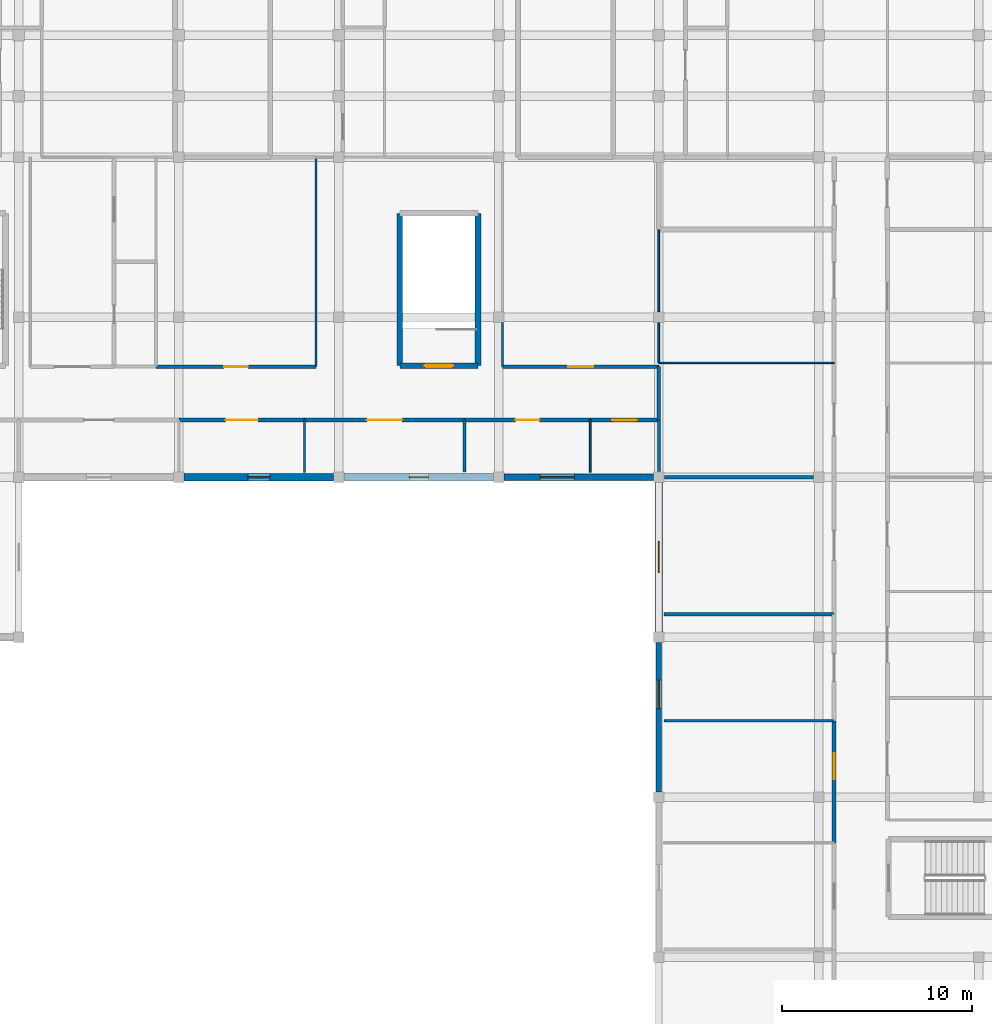
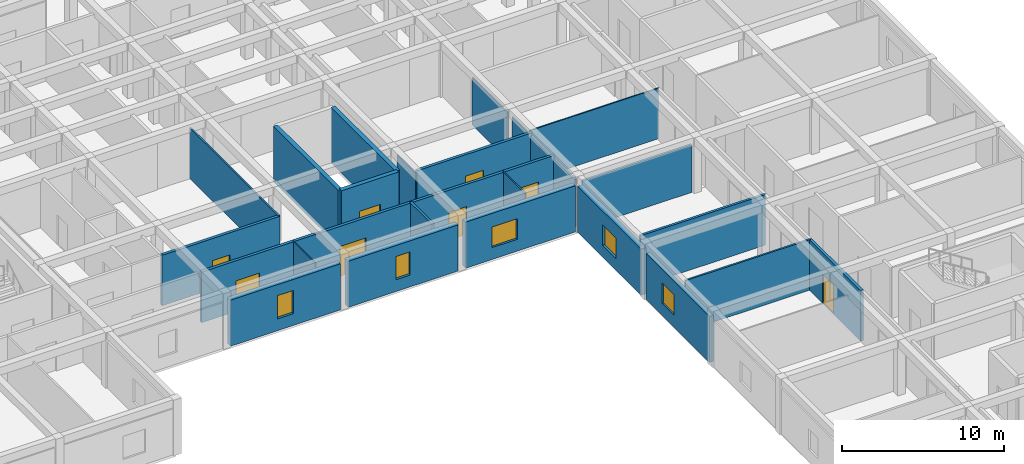
# One storey, part 26 of 42: 28 walls, 8 doors, 5 windows, 13 openings.
"""IFC4 building model written with IfcOpenShell, lengths in metres."""

from ifc_helpers import new_model, si_unit, direction, frame, frame_2d, origin, place, context, subcontext, project, spatial, rectangle, extrude, material, layer, layer_set, type_object, element, fill, save


model = new_model("IFC4")

# Units and contexts
model_context = context("Model", 3, precision=1e-05, world=origin(), true_north=direction((0.0, 1.0)))
body_context = subcontext(model_context, "Body", "Model", "MODEL_VIEW")
ifc_project = project(units=[si_unit("LENGTHUNIT", "METRE"), si_unit("AREAUNIT", "SQUARE_METRE"), si_unit("VOLUMEUNIT", "CUBIC_METRE"), si_unit("PLANEANGLEUNIT", "RADIAN"), si_unit("MASSUNIT", "GRAM", prefix="KILO")], contexts=[model_context])

# Site, building, storey
site_placement = place(None, origin())
site = spatial("IfcSite", under=ifc_project, at=site_placement, CompositionType="ELEMENT")
building_placement = place(site_placement, origin())
building = spatial("IfcBuilding", under=site, at=building_placement, Name="Varncliffe General Hospital", CompositionType="ELEMENT")
storey_placement = place(building_placement, frame((0.0, 0.0, 20.39990234375)))
storey = spatial("IfcBuildingStorey", under=building, at=storey_placement, Name="L04", CompositionType="ELEMENT", Elevation=20.39990234375)

# Wall, opening, window
ifc_material_1 = material(Name="Precast concrete C40/50 with insulated cream lime-cement stucco", Category="concrete")
ifc_layer_1 = layer(ifc_material_1, 0.3798828125)
ifc_layer_set_1 = layer_set([ifc_layer_1], Name="Precast concrete C40/50 with insulated cream lime-cement stucco")
wall_type_1 = type_object("IfcWallType", Name="Exterior Insulated Stucco Wall EW26 (380mm)", PredefinedType="SOLIDWALL", material=ifc_layer_set_1)
wall_1_placement = place(storey_placement, frame((151.199951171875, 74.673095703125, 0.0), z_axis=(0.0, 0.0, 1.0), x_axis=(0.0, 1.0, 0.0)))
wall_1 = element("IfcWall", 1, at=wall_1_placement, inside=storey, type_object=wall_type_1, Name="L04 Exterior Stucco Wall EW26-315", PredefinedType="SOLIDWALL", context=body_context, shape_type="SweptSolid", body=[
    extrude(rectangle(XDim=7.85400390625, YDim=0.3798828125, at=frame_2d((3.927001953125, 0.0))), origin(), (0.0, 0.0, 1.0), 3.47998046875),
])
opening_1_placement = place(wall_1_placement, frame((3.10205078125, 0.0, 0.89990234375)))
opening_1 = element("IfcOpeningElement", 2, at=opening_1_placement, cuts=wall_1, Name="Opening WN20", PredefinedType="OPENING", context=body_context, shape_type="SweptSolid", body=[
    extrude(rectangle(XDim=1.64990234375, YDim=1.550048828125, at=frame_2d((0.824951171875, 0.77490234375))), frame((0.0, 0.199951171875, 0.0), z_axis=(0.0, -1.0, 0.0), x_axis=(1.0, 0.0, 0.0)), (0.0, 0.0, 1.0), 0.39990234375),
])
ifc_material_2 = material(Name="Triple low-E argon insulated vision glazing", Category="glass")
window_type_1 = type_object("IfcWindowType", Name="Triple-Glazed Hospital Window WN20 (1650x1550)", PartitioningType="DOUBLE_PANEL_VERTICAL", PredefinedType="WINDOW", material=ifc_material_2)
window_1_placement = place(opening_1_placement, origin())
window_1 = element("IfcWindow", 3, at=window_1_placement, inside=storey, type_object=window_type_1, Name="L04 Hospital Window WN20-233", OverallHeight=1.550048828125, OverallWidth=1.64990234375, PartitioningType="DOUBLE_PANEL_VERTICAL", PredefinedType="WINDOW", context=body_context, shape_type="SweptSolid", body=[
    extrude(rectangle(XDim=1.64990234375, YDim=1.550048828125, at=frame_2d((0.824951171875, 0.77490234375))), frame((0.0, 0.030029296875, 0.0), z_axis=(0.0, -1.0, 0.0), x_axis=(1.0, 0.0, 0.0)), (0.0, 0.0, 1.0), 0.06005859375),
])
fill(opening_1, window_1)

wall_2_placement = place(storey_placement, frame((134.126953125, 82.800048828125, 0.0), z_axis=(0.0, 0.0, 1.0), x_axis=(-1.0, 0.0, 0.0)))
wall_2 = element("IfcWall", 4, at=wall_2_placement, inside=storey, type_object=wall_type_1, Name="L04 Exterior Stucco Wall EW26-318", PredefinedType="SOLIDWALL", context=body_context, shape_type="SweptSolid", body=[
    extrude(rectangle(XDim=7.85400390625, YDim=0.3798828125, at=frame_2d((3.927001953125, 0.0))), origin(), (0.0, 0.0, 1.0), 3.47998046875),
])
opening_2_placement = place(wall_2_placement, frame((3.35205078125, 0.0, 0.89990234375)))
opening_2 = element("IfcOpeningElement", 5, at=opening_2_placement, cuts=wall_2, Name="Opening WN60", PredefinedType="OPENING", context=body_context, shape_type="SweptSolid", body=[
    extrude(rectangle(XDim=1.14990234375, YDim=1.75, at=frame_2d((0.574951171875, 0.875))), frame((0.0, 0.199951171875, 0.0), z_axis=(0.0, -1.0, 0.0), x_axis=(1.0, 0.0, 0.0)), (0.0, 0.0, 1.0), 0.39990234375),
])
window_type_2 = type_object("IfcWindowType", Name="Triple-Glazed Hospital Window WN60 (1150x1750)", PartitioningType="SINGLE_PANEL", PredefinedType="WINDOW", material=ifc_material_2)
window_2_placement = place(opening_2_placement, origin())
window_2 = element("IfcWindow", 6, at=window_2_placement, inside=storey, type_object=window_type_2, Name="L04 Hospital Window WN60-236", OverallHeight=1.75, OverallWidth=1.14990234375, PartitioningType="SINGLE_PANEL", PredefinedType="WINDOW", context=body_context, shape_type="SweptSolid", body=[
    extrude(rectangle(XDim=1.14990234375, YDim=1.75, at=frame_2d((0.574951171875, 0.875))), frame((0.0, 0.030029296875, 0.0), z_axis=(0.0, -1.0, 0.0), x_axis=(1.0, 0.0, 0.0)), (0.0, 0.0, 1.0), 0.06005859375),
])
fill(opening_2, window_2)

ifc_layer_2 = layer(ifc_material_1, 0.2900390625)
ifc_layer_set_2 = layer_set([ifc_layer_2], Name="Precast concrete C40/50 with insulated cream lime-cement stucco")
wall_type_2 = type_object("IfcWallType", Name="Exterior Insulated Stucco Wall EW31 (290mm)", PredefinedType="SOLIDWALL", material=ifc_layer_set_2)
wall_3_placement = place(storey_placement, frame((151.199951171875, 66.27294921875, 0.0), z_axis=(0.0, 0.0, 1.0), x_axis=(0.0, 1.0, 0.0)))
wall_3 = element("IfcWall", 7, at=wall_3_placement, inside=storey, type_object=wall_type_2, Name="L04 Exterior Stucco Wall EW31-314", PredefinedType="SOLIDWALL", context=body_context, shape_type="SweptSolid", body=[
    extrude(rectangle(XDim=7.85400390625, YDim=0.2900390625, at=frame_2d((3.927001953125, 0.0))), origin(), (0.0, 0.0, 1.0), 3.47998046875),
])
opening_3_placement = place(wall_3_placement, frame((4.376953125, 0.0, 0.89990234375)))
opening_3 = element("IfcOpeningElement", 8, at=opening_3_placement, cuts=wall_3, Name="Opening WN75", PredefinedType="OPENING", context=body_context, shape_type="SweptSolid", body=[
    extrude(rectangle(XDim=1.5, YDim=1.550048828125, at=frame_2d((0.75, 0.77490234375))), frame((0.0, 0.155029296875, 0.0), z_axis=(0.0, -1.0, 0.0), x_axis=(1.0, 0.0, 0.0)), (0.0, 0.0, 1.0), 0.31005859375),
])
window_type_3 = type_object("IfcWindowType", Name="Triple-Glazed Hospital Window WN75 (1500x1550)", PartitioningType="SINGLE_PANEL", PredefinedType="WINDOW", material=ifc_material_2)
window_3_placement = place(opening_3_placement, origin())
window_3 = element("IfcWindow", 9, at=window_3_placement, inside=storey, type_object=window_type_3, Name="L04 Hospital Window WN75-232", OverallHeight=1.550048828125, OverallWidth=1.5, PartitioningType="SINGLE_PANEL", PredefinedType="WINDOW", context=body_context, shape_type="SweptSolid", body=[
    extrude(rectangle(XDim=1.5, YDim=1.550048828125, at=frame_2d((0.75, 0.77490234375))), frame((0.0, 0.030029296875, 0.0), z_axis=(0.0, -1.0, 0.0), x_axis=(1.0, 0.0, 0.0)), (0.0, 0.0, 1.0), 0.06005859375),
])
fill(opening_3, window_3)

ifc_layer_3 = layer(ifc_material_1, 0.35009765625)
ifc_layer_set_3 = layer_set([ifc_layer_3], Name="Precast concrete C40/50 with insulated cream lime-cement stucco")
wall_type_3 = type_object("IfcWallType", Name="Exterior Insulated Stucco Wall EW37 (350mm)", PredefinedType="SOLIDWALL", material=ifc_layer_set_3)
wall_4_placement = place(storey_placement, frame((150.927001953125, 82.800048828125, 0.0), z_axis=(0.0, 0.0, 1.0), x_axis=(-1.0, 0.0, 0.0)))
wall_4 = element("IfcWall", 10, at=wall_4_placement, inside=storey, type_object=wall_type_3, Name="L04 Exterior Stucco Wall EW37-316", PredefinedType="SOLIDWALL", context=body_context, shape_type="SweptSolid", body=[
    extrude(rectangle(XDim=7.85400390625, YDim=0.35009765625, at=frame_2d((3.927001953125, 0.0))), origin(), (0.0, 0.0, 1.0), 3.47998046875),
])
opening_4_placement = place(wall_4_placement, frame((4.160888671875, 0.0, 0.89990234375)))
opening_4 = element("IfcOpeningElement", 11, at=opening_4_placement, cuts=wall_4, Name="Opening WN52", PredefinedType="OPENING", context=body_context, shape_type="SweptSolid", body=[
    extrude(rectangle(XDim=1.800048828125, YDim=1.550048828125, at=frame_2d((0.89990234375, 0.77490234375))), frame((0.0, 0.18505859375, 0.0), z_axis=(0.0, -1.0, 0.0), x_axis=(1.0, 0.0, 0.0)), (0.0, 0.0, 1.0), 0.3701171875),
])
window_type_4 = type_object("IfcWindowType", Name="Triple-Glazed Hospital Window WN52 (1800x1550)", PartitioningType="DOUBLE_PANEL_VERTICAL", PredefinedType="WINDOW", material=ifc_material_2)
window_4_placement = place(opening_4_placement, origin())
window_4 = element("IfcWindow", 12, at=window_4_placement, inside=storey, type_object=window_type_4, Name="L04 Hospital Window WN52-234", OverallHeight=1.550048828125, OverallWidth=1.800048828125, PartitioningType="DOUBLE_PANEL_VERTICAL", PredefinedType="WINDOW", context=body_context, shape_type="SweptSolid", body=[
    extrude(rectangle(XDim=1.800048828125, YDim=1.550048828125, at=frame_2d((0.89990234375, 0.77490234375))), frame((0.0, 0.030029296875, 0.0), z_axis=(0.0, -1.0, 0.0), x_axis=(1.0, 0.0, 0.0)), (0.0, 0.0, 1.0), 0.06005859375),
])
fill(opening_4, window_4)

ifc_layer_4 = layer(ifc_material_1, 0.39990234375)
ifc_layer_set_4 = layer_set([ifc_layer_4], Name="Precast concrete C40/50 with insulated cream lime-cement stucco")
wall_type_4 = type_object("IfcWallType", Name="Exterior Insulated Stucco Wall EW47 (400mm)", PredefinedType="SOLIDWALL", material=ifc_layer_set_4)
wall_5_placement = place(storey_placement, frame((142.527099609375, 82.800048828125, 0.0), z_axis=(0.0, 0.0, 1.0), x_axis=(-1.0, 0.0, 0.0)))
wall_5 = element("IfcWall", 13, at=wall_5_placement, inside=storey, type_object=wall_type_4, Name="L04 Exterior Stucco Wall EW47-317", PredefinedType="SOLIDWALL", context=body_context, shape_type="SweptSolid", body=[
    extrude(rectangle(XDim=7.85400390625, YDim=0.39990234375, at=frame_2d((3.927001953125, 0.0))), origin(), (0.0, 0.0, 1.0), 3.47998046875),
])
opening_5_placement = place(wall_5_placement, frame((3.427001953125, 0.0, 0.89990234375)))
opening_5 = element("IfcOpeningElement", 14, at=opening_5_placement, cuts=wall_5, Name="Opening WN53", PredefinedType="OPENING", context=body_context, shape_type="SweptSolid", body=[
    extrude(rectangle(XDim=1.0, YDim=1.75, at=frame_2d((0.5, 0.875))), frame((0.0, 0.2099609375, 0.0), z_axis=(0.0, -1.0, 0.0), x_axis=(1.0, 0.0, 0.0)), (0.0, 0.0, 1.0), 0.419921875),
])
window_type_5 = type_object("IfcWindowType", Name="Triple-Glazed Hospital Window WN53 (1000x1750)", PartitioningType="SINGLE_PANEL", PredefinedType="WINDOW", material=ifc_material_2)
window_5_placement = place(opening_5_placement, origin())
window_5 = element("IfcWindow", 15, at=window_5_placement, inside=storey, type_object=window_type_5, Name="L04 Hospital Window WN53-235", OverallHeight=1.75, OverallWidth=1.0, PartitioningType="SINGLE_PANEL", PredefinedType="WINDOW", context=body_context, shape_type="SweptSolid", body=[
    extrude(rectangle(XDim=1.0, YDim=1.75, at=frame_2d((0.5, 0.875))), frame((0.0, 0.030029296875, 0.0), z_axis=(0.0, -1.0, 0.0), x_axis=(1.0, 0.0, 0.0)), (0.0, 0.0, 1.0), 0.06005859375),
])
fill(opening_5, window_5)

# Walls
ifc_material_3 = material(Name="Acoustic clinical gypsum stud partition assembly", Category="gypsum")
ifc_layer_5 = layer(ifc_material_3, 0.1298828125)
ifc_layer_set_5 = layer_set([ifc_layer_5], Name="Acoustic clinical gypsum stud partition assembly")
wall_type_5 = type_object("IfcWallType", Name="Interior Partitioning IW11 (130mm)", PredefinedType="PARTITIONING", material=ifc_layer_set_5)
wall_6_placement = place(storey_placement, frame((151.4599609375, 70.0, 0.0), z_axis=(0.0, 0.0, 1.0), x_axis=(1.0, 0.0, 0.0)))
element("IfcWall", 16, at=wall_6_placement, inside=storey, type_object=wall_type_5, Name="L04 Interior Partition Wall IW11-1688", PredefinedType="PARTITIONING", context=body_context, shape_type="SweptSolid", body=[
    extrude(rectangle(XDim=8.93994140625, YDim=0.1298828125, at=frame_2d((4.469970703125, 0.0))), origin(), (0.0, 0.0, 1.0), 3.820068359375),
])
ifc_layer_6 = layer(ifc_material_3, 0.169921875)
ifc_layer_set_6 = layer_set([ifc_layer_6], Name="Acoustic clinical gypsum stud partition assembly")
wall_type_6 = type_object("IfcWallType", Name="Interior Partitioning IW20 (170mm)", PredefinedType="PARTITIONING", material=ifc_layer_set_6)
wall_7_placement = place(storey_placement, frame((151.4599609375, 75.60009765625, 0.0), z_axis=(0.0, 0.0, 1.0), x_axis=(1.0, 0.0, 0.0)))
element("IfcWall", 17, at=wall_7_placement, inside=storey, type_object=wall_type_6, Name="L04 Interior Partition Wall IW20-1690", PredefinedType="PARTITIONING", context=body_context, shape_type="SweptSolid", body=[
    extrude(rectangle(XDim=8.93994140625, YDim=0.169921875, at=frame_2d((4.469970703125, 0.0))), origin(), (0.0, 0.0, 1.0), 3.820068359375),
])
wall_8_placement = place(storey_placement, frame((151.489990234375, 82.800048828125, 0.0), z_axis=(0.0, 0.0, 1.0), x_axis=(1.0, 0.0, 0.0)))
element("IfcWall", 18, at=wall_8_placement, inside=storey, type_object=wall_type_6, Name="L04 Interior Partition Wall IW20-1695", PredefinedType="PARTITIONING", context=body_context, shape_type="SweptSolid", body=[
    extrude(rectangle(XDim=7.820068359375, YDim=0.169921875, at=frame_2d((3.91015625, 0.0))), origin(), (0.0, 0.0, 1.0), 3.585205078125),
])
wall_9_placement = place(storey_placement, frame((141.0, 83.06005859375, 0.0), z_axis=(0.0, 0.0, 1.0), x_axis=(0.0, 1.0, 0.0)))
element("IfcWall", 19, at=wall_9_placement, inside=storey, type_object=wall_type_6, Name="L04 Interior Partition Wall IW20-1950", PredefinedType="PARTITIONING", context=body_context, shape_type="SweptSolid", body=[
    extrude(rectangle(XDim=2.739990234375, YDim=0.169921875, at=frame_2d((1.3701171875, 0.0))), origin(), (0.0, 0.0, 1.0), 3.820068359375),
])
wall_10_placement = place(storey_placement, frame((151.199951171875, 85.800048828125, 0.0), z_axis=(0.0, 0.0, 1.0), x_axis=(0.0, 1.0, 0.0)))
element("IfcWall", 20, at=wall_10_placement, inside=storey, type_object=wall_type_6, Name="L04 Interior Partition Wall IW20-1960", PredefinedType="PARTITIONING", context=body_context, shape_type="SweptSolid", body=[
    extrude(rectangle(XDim=2.800048828125, YDim=0.169921875, at=frame_2d((1.39990234375, 0.0))), origin(), (0.0, 0.0, 1.0), 3.585205078125),
])
ifc_layer_7 = layer(ifc_material_3, 0.14990234375)
ifc_layer_set_7 = layer_set([ifc_layer_7], Name="Acoustic clinical gypsum stud partition assembly")
wall_type_7 = type_object("IfcWallType", Name="Interior Partitioning IW35 (150mm)", PredefinedType="PARTITIONING", material=ifc_layer_set_7)
wall_11_placement = place(storey_placement, frame((151.199951171875, 83.090087890625, 0.0), z_axis=(0.0, 0.0, 1.0), x_axis=(0.0, 1.0, 0.0)))
element("IfcWall", 21, at=wall_11_placement, inside=storey, type_object=wall_type_7, Name="L04 Interior Partition Wall IW35-1959", PredefinedType="PARTITIONING", context=body_context, shape_type="SweptSolid", body=[
    extrude(rectangle(XDim=2.7099609375, YDim=0.14990234375, at=frame_2d((1.35498046875, 0.0))), origin(), (0.0, 0.0, 1.0), 3.585205078125),
])
ifc_layer_8 = layer(ifc_material_3, 0.090087890625)
ifc_layer_set_8 = layer_set([ifc_layer_8], Name="Acoustic clinical gypsum stud partition assembly")
wall_type_8 = type_object("IfcWallType", Name="Interior Partitioning IW42 (90mm)", PredefinedType="PARTITIONING", material=ifc_layer_set_8)
wall_12_placement = place(storey_placement, frame((151.199951171875, 88.800048828125, 0.0), z_axis=(0.0, 0.0, 1.0), x_axis=(1.0, 0.0, 0.0)))
element("IfcWall", 22, at=wall_12_placement, inside=storey, type_object=wall_type_8, Name="L04 Interior Partition Wall IW42-1726", PredefinedType="PARTITIONING", context=body_context, shape_type="SweptSolid", body=[
    extrude(rectangle(XDim=9.199951171875, YDim=0.090087890625, at=frame_2d((4.60009765625, 0.0))), origin(), (0.0, 0.0, 1.0), 3.820068359375),
])
for number, where, z_axis, x_axis, name in (
    (23, (132.60009765625, 83.06005859375, 0.0), (0.0, 0.0, 1.0), (0.0, 1.0, 0.0), "L04 Interior Partition Wall IW42-1941"),
    (24, (147.60009765625, 83.06005859375, 0.0), (0.0, 0.0, 1.0), (0.0, 1.0, 0.0), "L04 Interior Partition Wall IW42-1956"),
):
    element("IfcWall", number, at=place(storey_placement, frame(where, z_axis=z_axis, x_axis=x_axis)), inside=storey, type_object=wall_type_8, Name=name, PredefinedType="PARTITIONING", context=body_context, shape_type="SweptSolid", body=[
        extrude(rectangle(XDim=2.739990234375, YDim=0.090087890625, at=frame_2d((1.3701171875, 0.0))), origin(), (0.0, 0.0, 1.0), 3.820068359375),
    ])
wall_13_placement = place(storey_placement, frame((151.199951171875, 91.489990234375, 0.0), z_axis=(0.0, 0.0, 1.0), x_axis=(0.0, 1.0, 0.0)))
element("IfcWall", 25, at=wall_13_placement, inside=storey, type_object=wall_type_8, Name="L04 Interior Partition Wall IW42-1961", PredefinedType="PARTITIONING", context=body_context, shape_type="SweptSolid", body=[
    extrude(rectangle(XDim=4.31005859375, YDim=0.090087890625, at=frame_2d((2.155029296875, 0.0))), origin(), (0.0, 0.0, 1.0), 3.585205078125),
])
wall_14_placement = place(storey_placement, frame((151.199951171875, 88.800048828125, 0.0), z_axis=(0.0, 0.0, 1.0), x_axis=(0.0, 1.0, 0.0)))
element("IfcWall", 26, at=wall_14_placement, inside=storey, type_object=wall_type_8, Name="L04 Interior Partition Wall IW42-1962", PredefinedType="PARTITIONING", context=body_context, shape_type="SweptSolid", body=[
    extrude(rectangle(XDim=2.10986328125, YDim=0.090087890625, at=frame_2d((1.054931640625, 0.0))), origin(), (0.0, 0.0, 1.0), 3.585205078125),
])
ifc_layer_9 = layer(ifc_material_3, 0.110107421875)
ifc_layer_set_9 = layer_set([ifc_layer_9], Name="Acoustic clinical gypsum stud partition assembly")
wall_type_9 = type_object("IfcWallType", Name="Interior Partitioning IW65 (110mm)", PredefinedType="PARTITIONING", material=ifc_layer_set_9)
wall_15_placement = place(storey_placement, frame((133.199951171875, 88.60009765625, 0.0), z_axis=(0.0, 0.0, 1.0), x_axis=(0.0, 1.0, 0.0)))
element("IfcWall", 27, at=wall_15_placement, inside=storey, type_object=wall_type_9, Name="L04 Interior Partition Wall IW65-1942", PredefinedType="PARTITIONING", context=body_context, shape_type="SweptSolid", body=[
    extrude(rectangle(XDim=11.0, YDim=0.110107421875, at=frame_2d((5.5, 0.0))), origin(), (0.0, 0.0, 1.0), 3.820068359375),
])
wall_16_placement = place(storey_placement, frame((143.0, 88.60009765625, 0.0), z_axis=(0.0, 0.0, 1.0), x_axis=(0.0, 1.0, 0.0)))
element("IfcWall", 28, at=wall_16_placement, inside=storey, type_object=wall_type_9, Name="L04 Interior Partition Wall IW65-1953", PredefinedType="PARTITIONING", context=body_context, shape_type="SweptSolid", body=[
    extrude(rectangle(XDim=2.309814453125, YDim=0.110107421875, at=frame_2d((1.15478515625, 0.0))), origin(), (0.0, 0.0, 1.0), 3.585205078125),
])

# Wall, opening, door
ifc_material_4 = material(Name="Fire-rated gypsum and mineral-wool partition assembly", Category="gypsum")
ifc_layer_10 = layer(ifc_material_4, 0.199951171875)
ifc_layer_set_10 = layer_set([ifc_layer_10], Name="Fire-rated gypsum and mineral-wool partition assembly")
wall_type_10 = type_object("IfcWallType", Name="Interior Partitioning PW63 (200mm)", PredefinedType="PARTITIONING", material=ifc_layer_set_10)
wall_17_placement = place(storey_placement, frame((126.0, 85.800048828125, 0.0), z_axis=(0.0, 0.0, 1.0), x_axis=(1.0, 0.0, 0.0)))
wall_17 = element("IfcWall", 29, at=wall_17_placement, inside=storey, type_object=wall_type_10, Name="L04 Interior Partition Wall PW63-1710", PredefinedType="PARTITIONING", context=body_context, shape_type="SweptSolid", body=[
    extrude(rectangle(XDim=6.60009765625, YDim=0.199951171875, at=frame_2d((3.300048828125, 0.0))), origin(), (0.0, 0.0, 1.0), 3.820068359375),
])
opening_6_placement = place(wall_17_placement, frame((2.449951171875, 0.0, 0.0)))
opening_6 = element("IfcOpeningElement", 30, at=opening_6_placement, cuts=wall_17, Name="Opening DC50", PredefinedType="OPENING", context=body_context, shape_type="SweptSolid", body=[
    extrude(rectangle(XDim=1.699951171875, YDim=2.300048828125, at=frame_2d((0.85009765625, 1.14990234375))), frame((0.0, 0.10986328125, 0.0), z_axis=(0.0, -1.0, 0.0), x_axis=(1.0, 0.0, 0.0)), (0.0, 0.0, 1.0), 0.219970703125),
])
ifc_material_5 = material(Name="Fire-rated hospital steel-frame vision-panel door", Category="steel")
door_type_1 = type_object("IfcDoorType", Name="Interior Hospital Door DC50 (1700x2300)", OperationType="NOTDEFINED", PredefinedType="DOOR", material=ifc_material_5)
door_1_placement = place(opening_6_placement, frame((1.699951171875, 0.0, 0.0), z_axis=(0.0, 0.0, 1.0), x_axis=(-1.0, 0.0, 0.0)))
door_1 = element("IfcDoor", 31, at=door_1_placement, inside=storey, type_object=door_type_1, Name="L04 Interventional Short-Stay Recovery Room 44 Door", OperationType="SINGLE_SWING_LEFT", OverallHeight=2.300048828125, OverallWidth=1.699951171875, PredefinedType="DOOR", context=body_context, shape_type="SweptSolid", body=[
    extrude(rectangle(XDim=1.699951171875, YDim=2.300048828125, at=frame_2d((0.85009765625, 1.14990234375))), frame((0.0, 0.02490234375, 0.0), z_axis=(0.0, -1.0, 0.0), x_axis=(1.0, 0.0, 0.0)), (0.0, 0.0, 1.0), 0.050048828125),
])
fill(opening_6, door_1)

wall_18_placement = place(storey_placement, frame((132.60009765625, 85.800048828125, 0.0), z_axis=(0.0, 0.0, 1.0), x_axis=(1.0, 0.0, 0.0)))
wall_18 = element("IfcWall", 32, at=wall_18_placement, inside=storey, type_object=wall_type_10, Name="L04 Interior Partition Wall PW63-1711", PredefinedType="PARTITIONING", context=body_context, shape_type="SweptSolid", body=[
    extrude(rectangle(XDim=8.39990234375, YDim=0.199951171875, at=frame_2d((4.199951171875, 0.0))), origin(), (0.0, 0.0, 1.0), 3.820068359375),
])
opening_7_placement = place(wall_18_placement, frame((3.27490234375, 0.0, 0.0)))
opening_7 = element("IfcOpeningElement", 33, at=opening_7_placement, cuts=wall_18, Name="Opening DC38", PredefinedType="OPENING", context=body_context, shape_type="SweptSolid", body=[
    extrude(rectangle(XDim=1.85009765625, YDim=2.300048828125, at=frame_2d((0.925048828125, 1.14990234375))), frame((0.0, 0.10986328125, 0.0), z_axis=(0.0, -1.0, 0.0), x_axis=(1.0, 0.0, 0.0)), (0.0, 0.0, 1.0), 0.219970703125),
])
door_type_2 = type_object("IfcDoorType", Name="Interior Hospital Door DC38 (1850x2300)", OperationType="NOTDEFINED", PredefinedType="DOOR", material=ifc_material_5)
door_2_placement = place(opening_7_placement, frame((1.85009765625, 0.0, 0.0), z_axis=(0.0, 0.0, 1.0), x_axis=(-1.0, 0.0, 0.0)))
door_2 = element("IfcDoor", 34, at=door_2_placement, inside=storey, type_object=door_type_2, Name="L04 Perinatal Caesarean Surgical Theatre 45 Door", OperationType="SINGLE_SWING_RIGHT", OverallHeight=2.300048828125, OverallWidth=1.85009765625, PredefinedType="DOOR", context=body_context, shape_type="SweptSolid", body=[
    extrude(rectangle(XDim=1.85009765625, YDim=2.300048828125, at=frame_2d((0.925048828125, 1.14990234375))), frame((0.0, 0.02490234375, 0.0), z_axis=(0.0, -1.0, 0.0), x_axis=(1.0, 0.0, 0.0)), (0.0, 0.0, 1.0), 0.050048828125),
])
fill(opening_7, door_2)

wall_19_placement = place(storey_placement, frame((141.0, 85.800048828125, 0.0), z_axis=(0.0, 0.0, 1.0), x_axis=(1.0, 0.0, 0.0)))
wall_19 = element("IfcWall", 35, at=wall_19_placement, inside=storey, type_object=wall_type_10, Name="L04 Interior Partition Wall PW63-1712", PredefinedType="PARTITIONING", context=body_context, shape_type="SweptSolid", body=[
    extrude(rectangle(XDim=6.60009765625, YDim=0.199951171875, at=frame_2d((3.300048828125, 0.0))), origin(), (0.0, 0.0, 1.0), 3.820068359375),
])
opening_8_placement = place(wall_19_placement, frame((2.675048828125, 0.0, 0.0)))
opening_8 = element("IfcOpeningElement", 36, at=opening_8_placement, cuts=wall_19, Name="Opening DC44", PredefinedType="OPENING", context=body_context, shape_type="SweptSolid", body=[
    extrude(rectangle(XDim=1.25, YDim=2.14990234375, at=frame_2d((0.625, 1.074951171875))), frame((0.0, 0.10986328125, 0.0), z_axis=(0.0, -1.0, 0.0), x_axis=(1.0, 0.0, 0.0)), (0.0, 0.0, 1.0), 0.219970703125),
])
door_type_3 = type_object("IfcDoorType", Name="Interior Hospital Door DC44 (1250x2150)", OperationType="NOTDEFINED", PredefinedType="DOOR", material=ifc_material_5)
door_3_placement = place(opening_8_placement, frame((1.25, 0.0, 0.0), z_axis=(0.0, 0.0, 1.0), x_axis=(-1.0, 0.0, 0.0)))
door_3 = element("IfcDoor", 37, at=door_3_placement, inside=storey, type_object=door_type_3, Name="L04 Interventional Short-Stay Recovery Room 46 Door", OperationType="SINGLE_SWING_LEFT", OverallHeight=2.14990234375, OverallWidth=1.25, PredefinedType="DOOR", context=body_context, shape_type="SweptSolid", body=[
    extrude(rectangle(XDim=1.25, YDim=2.14990234375, at=frame_2d((0.625, 1.074951171875))), frame((0.0, 0.02490234375, 0.0), z_axis=(0.0, -1.0, 0.0), x_axis=(1.0, 0.0, 0.0)), (0.0, 0.0, 1.0), 0.050048828125),
])
fill(opening_8, door_3)

wall_20_placement = place(storey_placement, frame((147.60009765625, 85.800048828125, 0.0), z_axis=(0.0, 0.0, 1.0), x_axis=(1.0, 0.0, 0.0)))
wall_20 = element("IfcWall", 38, at=wall_20_placement, inside=storey, type_object=wall_type_10, Name="L04 Interior Partition Wall PW63-1713", PredefinedType="PARTITIONING", context=body_context, shape_type="SweptSolid", body=[
    extrude(rectangle(XDim=3.599853515625, YDim=0.199951171875, at=frame_2d((1.7998046875, 0.0))), origin(), (0.0, 0.0, 1.0), 3.820068359375),
])
opening_9_placement = place(wall_20_placement, frame((1.14990234375, 0.0, 0.0)))
opening_9 = element("IfcOpeningElement", 39, at=opening_9_placement, cuts=wall_20, Name="Opening DC88", PredefinedType="OPENING", context=body_context, shape_type="SweptSolid", body=[
    extrude(rectangle(XDim=1.300048828125, YDim=2.199951171875, at=frame_2d((0.64990234375, 1.10009765625))), frame((0.0, 0.10986328125, 0.0), z_axis=(0.0, -1.0, 0.0), x_axis=(1.0, 0.0, 0.0)), (0.0, 0.0, 1.0), 0.219970703125),
])
door_type_4 = type_object("IfcDoorType", Name="Interior Hospital Door DC88 (1300x2200)", OperationType="NOTDEFINED", PredefinedType="DOOR", material=ifc_material_5)
door_4_placement = place(opening_9_placement, frame((1.300048828125, 0.0, 0.0), z_axis=(0.0, 0.0, 1.0), x_axis=(-1.0, 0.0, 0.0)))
door_4 = element("IfcDoor", 40, at=door_4_placement, inside=storey, type_object=door_type_4, Name="L04 Perinatal Caesarean Surgical Theatre 47 Door", OperationType="SINGLE_SWING_RIGHT", OverallHeight=2.199951171875, OverallWidth=1.300048828125, PredefinedType="DOOR", context=body_context, shape_type="SweptSolid", body=[
    extrude(rectangle(XDim=1.300048828125, YDim=2.199951171875, at=frame_2d((0.64990234375, 1.10009765625))), frame((0.0, 0.02490234375, 0.0), z_axis=(0.0, -1.0, 0.0), x_axis=(1.0, 0.0, 0.0)), (0.0, 0.0, 1.0), 0.050048828125),
])
fill(opening_9, door_4)

wall_21_placement = place(storey_placement, frame((124.800048828125, 88.60009765625, 0.0), z_axis=(0.0, 0.0, 1.0), x_axis=(1.0, 0.0, 0.0)))
wall_21 = element("IfcWall", 41, at=wall_21_placement, inside=storey, type_object=wall_type_10, Name="L04 Interior Partition Wall PW63-1722", PredefinedType="PARTITIONING", context=body_context, shape_type="SweptSolid", body=[
    extrude(rectangle(XDim=8.39990234375, YDim=0.199951171875, at=frame_2d((4.199951171875, 0.0))), origin(), (0.0, 0.0, 1.0), 3.820068359375),
])
opening_10_placement = place(wall_21_placement, frame((3.574951171875, 0.0, 0.0)))
opening_10 = element("IfcOpeningElement", 42, at=opening_10_placement, cuts=wall_21, Name="Opening DC44", PredefinedType="OPENING", context=body_context, shape_type="SweptSolid", body=[
    extrude(rectangle(XDim=1.25, YDim=2.14990234375, at=frame_2d((0.625, 1.074951171875))), frame((0.0, 0.10986328125, 0.0), z_axis=(0.0, -1.0, 0.0), x_axis=(1.0, 0.0, 0.0)), (0.0, 0.0, 1.0), 0.219970703125),
])
door_5_placement = place(opening_10_placement, origin())
door_5 = element("IfcDoor", 43, at=door_5_placement, inside=storey, type_object=door_type_3, Name="L04 Perinatal Caesarean Surgical Theatre 59 Door", OperationType="SINGLE_SWING_RIGHT", OverallHeight=2.14990234375, OverallWidth=1.25, PredefinedType="DOOR", context=body_context, shape_type="SweptSolid", body=[
    extrude(rectangle(XDim=1.25, YDim=2.14990234375, at=frame_2d((0.625, 1.074951171875))), frame((0.0, 0.02490234375, 0.0), z_axis=(0.0, -1.0, 0.0), x_axis=(1.0, 0.0, 0.0)), (0.0, 0.0, 1.0), 0.050048828125),
])
fill(opening_10, door_5)

wall_22_placement = place(storey_placement, frame((143.0, 88.60009765625, 0.0), z_axis=(0.0, 0.0, 1.0), x_axis=(1.0, 0.0, 0.0)))
wall_22 = element("IfcWall", 44, at=wall_22_placement, inside=storey, type_object=wall_type_10, Name="L04 Interior Partition Wall PW63-1723", PredefinedType="PARTITIONING", context=body_context, shape_type="SweptSolid", body=[
    extrude(rectangle(XDim=8.199951171875, YDim=0.199951171875, at=frame_2d((4.10009765625, 0.0))), origin(), (0.0, 0.0, 1.0), 3.820068359375),
])
opening_11_placement = place(wall_22_placement, frame((3.449951171875, 0.0, 0.0)))
opening_11 = element("IfcOpeningElement", 45, at=opening_11_placement, cuts=wall_22, Name="Opening DC88", PredefinedType="OPENING", context=body_context, shape_type="SweptSolid", body=[
    extrude(rectangle(XDim=1.300048828125, YDim=2.199951171875, at=frame_2d((0.64990234375, 1.10009765625))), frame((0.0, 0.10986328125, 0.0), z_axis=(0.0, -1.0, 0.0), x_axis=(1.0, 0.0, 0.0)), (0.0, 0.0, 1.0), 0.219970703125),
])
door_6_placement = place(opening_11_placement, origin())
door_6 = element("IfcDoor", 46, at=door_6_placement, inside=storey, type_object=door_type_4, Name="L04 Perinatal Caesarean Surgical Theatre 60 Door", OperationType="SINGLE_SWING_LEFT", OverallHeight=2.199951171875, OverallWidth=1.300048828125, PredefinedType="DOOR", context=body_context, shape_type="SweptSolid", body=[
    extrude(rectangle(XDim=1.300048828125, YDim=2.199951171875, at=frame_2d((0.64990234375, 1.10009765625))), frame((0.0, 0.02490234375, 0.0), z_axis=(0.0, -1.0, 0.0), x_axis=(1.0, 0.0, 0.0)), (0.0, 0.0, 1.0), 0.050048828125),
])
fill(opening_11, door_6)

wall_23_placement = place(storey_placement, frame((160.39990234375, 63.60009765625, 0.0), z_axis=(0.0, 0.0, 1.0), x_axis=(0.0, 1.0, 0.0)))
wall_23 = element("IfcWall", 47, at=wall_23_placement, inside=storey, type_object=wall_type_10, Name="L04 Interior Partition Wall PW63-1981", PredefinedType="PARTITIONING", context=body_context, shape_type="SweptSolid", body=[
    extrude(rectangle(XDim=6.39990234375, YDim=0.199951171875, at=frame_2d((3.199951171875, 0.0))), origin(), (0.0, 0.0, 1.0), 3.820068359375),
])
opening_12_placement = place(wall_23_placement, frame((3.34765625, 0.0, 0.0)))
opening_12 = element("IfcOpeningElement", 48, at=opening_12_placement, cuts=wall_23, Name="Opening DC85", PredefinedType="OPENING", context=body_context, shape_type="SweptSolid", body=[
    extrude(rectangle(XDim=1.35009765625, YDim=2.199951171875, at=frame_2d((0.675048828125, 1.10009765625))), frame((0.0, 0.10986328125, 0.0), z_axis=(0.0, -1.0, 0.0), x_axis=(1.0, 0.0, 0.0)), (0.0, 0.0, 1.0), 0.219970703125),
])
door_type_5 = type_object("IfcDoorType", Name="Interior Hospital Door DC85 (1350x2200)", OperationType="NOTDEFINED", PredefinedType="DOOR", material=ifc_material_5)
door_7_placement = place(opening_12_placement, origin())
door_7 = element("IfcDoor", 49, at=door_7_placement, inside=storey, type_object=door_type_5, Name="L04 Cardiology Diagnostics and Stress Echo Clinic 69 Door", OperationType="SINGLE_SWING_RIGHT", OverallHeight=2.199951171875, OverallWidth=1.35009765625, PredefinedType="DOOR", context=body_context, shape_type="SweptSolid", body=[
    extrude(rectangle(XDim=1.35009765625, YDim=2.199951171875, at=frame_2d((0.675048828125, 1.10009765625))), frame((0.0, 0.02490234375, 0.0), z_axis=(0.0, -1.0, 0.0), x_axis=(1.0, 0.0, 0.0)), (0.0, 0.0, 1.0), 0.050048828125),
])
fill(opening_12, door_7)

# Walls
ifc_material_6 = material(Name="Concrete C40/50 (CSA A23.1 40 MPa)", Category="concrete")
ifc_layer_11 = layer(ifc_material_6, 0.300048828125)
ifc_layer_set_11 = layer_set([ifc_layer_11], Name="Concrete C40/50 (CSA A23.1 40 MPa)")
wall_type_11 = type_object("IfcWallType", Name="Reinforced Concrete Core Shear Wall CW12 (300mm)", PredefinedType="SHEAR", material=ifc_layer_set_11)
for number, where, z_axis, x_axis, name in (
    (50, (141.699951171875, 88.64990234375, 0.0), (0.0, 0.0, 1.0), (0.0, 1.0, 0.0), "L04 ST14 Core Shear Wall L"),
    (51, (137.60009765625, 96.64990234375, 0.0), (0.0, 0.0, 1.0), (0.0, -1.0, 0.0), "L04 ST14 Core Shear Wall R"),
):
    element("IfcWall", number, at=place(storey_placement, frame(where, z_axis=z_axis, x_axis=x_axis)), inside=storey, type_object=wall_type_11, Name=name, PredefinedType="SHEAR", context=body_context, shape_type="SweptSolid", body=[
        extrude(rectangle(XDim=8.0, YDim=0.300048828125, at=frame_2d((4.0, 0.0))), origin(), (0.0, 0.0, 1.0), 4.2001953125),
    ])

# Wall, opening, door
wall_24_placement = place(storey_placement, frame((137.60009765625, 88.64990234375, 0.0), z_axis=(0.0, 0.0, 1.0), x_axis=(1.0, 0.0, 0.0)))
wall_24 = element("IfcWall", 52, at=wall_24_placement, inside=storey, type_object=wall_type_11, Name="L04 ST14 Core Shear Wall N", PredefinedType="SHEAR", context=body_context, shape_type="SweptSolid", body=[
    extrude(rectangle(XDim=4.099853515625, YDim=0.300048828125, at=frame_2d((2.0498046875, 0.0))), origin(), (0.0, 0.0, 1.0), 4.2001953125),
])
opening_13_placement = place(wall_24_placement, frame((1.300048828125, 0.0, 0.0)))
opening_13 = element("IfcOpeningElement", 53, at=opening_13_placement, cuts=wall_24, Name="Opening DF28", PredefinedType="OPENING", context=body_context, shape_type="SweptSolid", body=[
    extrude(rectangle(XDim=1.5, YDim=2.199951171875, at=frame_2d((0.75, 1.10009765625))), frame((0.0, 0.16015625, 0.0), z_axis=(0.0, -1.0, 0.0), x_axis=(1.0, 0.0, 0.0)), (0.0, 0.0, 1.0), 0.320068359375),
])
door_type_6 = type_object("IfcDoorType", Name="Interior Hospital Door DF28 (1500x2200)", OperationType="NOTDEFINED", PredefinedType="DOOR", material=ifc_material_5)
door_8_placement = place(opening_13_placement, frame((1.5, 0.0, 0.0), z_axis=(0.0, 0.0, 1.0), x_axis=(-1.0, 0.0, 0.0)))
door_8 = element("IfcDoor", 54, at=door_8_placement, inside=storey, type_object=door_type_6, Name="L04 ST14 Protected Exit Stair Door", OperationType="SINGLE_SWING_LEFT", OverallHeight=2.199951171875, OverallWidth=1.5, PredefinedType="DOOR", context=body_context, shape_type="SweptSolid", body=[
    extrude(rectangle(XDim=1.5, YDim=2.199951171875, at=frame_2d((0.75, 1.10009765625))), frame((0.0, 0.02490234375, 0.0), z_axis=(0.0, -1.0, 0.0), x_axis=(1.0, 0.0, 0.0)), (0.0, 0.0, 1.0), 0.050048828125),
])
fill(opening_13, door_8)

save(model, "model.ifc")
